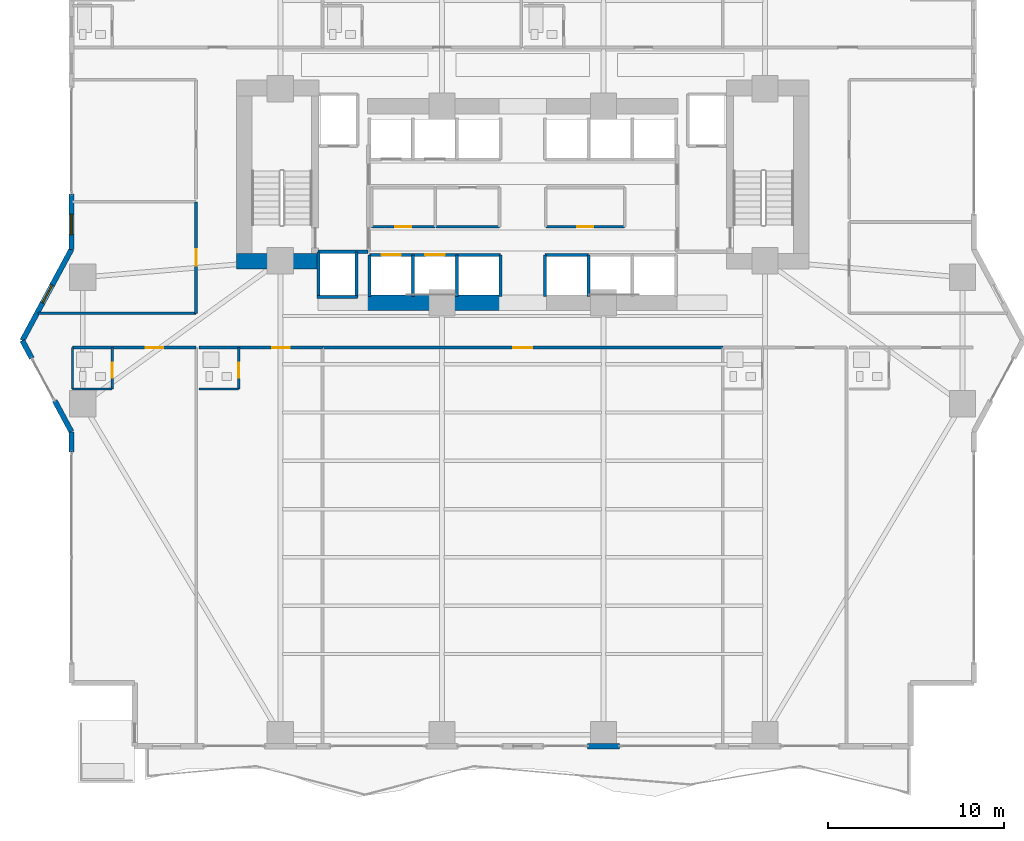
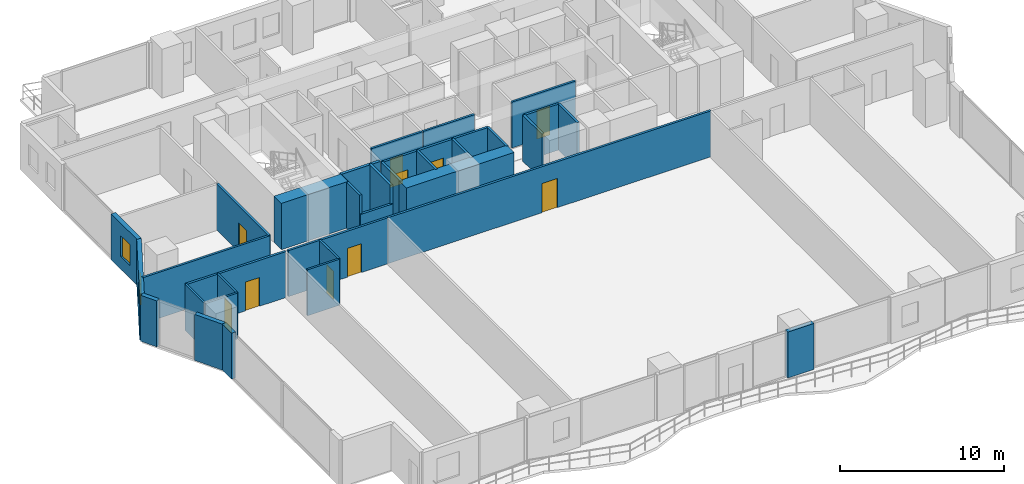
# One storey, part 19 of 28: 35 walls, 10 doors, 2 windows, 12 openings.
"""IFC4 building model written with IfcOpenShell, lengths in metres."""

from ifc_helpers import new_model, si_unit, direction, frame, frame_2d, origin, place, context, subcontext, project, spatial, rectangle, extrude, material, layer, layer_set, type_object, element, fill, save


model = new_model("IFC4")

# Units and contexts
model_context = context("Model", 3, precision=1e-05, world=origin(), true_north=direction((0.0, 1.0)))
body_context = subcontext(model_context, "Body", "Model", "MODEL_VIEW")
ifc_project = project(units=[si_unit("LENGTHUNIT", "METRE"), si_unit("AREAUNIT", "SQUARE_METRE"), si_unit("VOLUMEUNIT", "CUBIC_METRE"), si_unit("PLANEANGLEUNIT", "RADIAN"), si_unit("MASSUNIT", "GRAM", prefix="KILO")], contexts=[model_context])

# Site, building, storey
site_placement = place(None, origin())
site = spatial("IfcSite", under=ifc_project, at=site_placement, CompositionType="ELEMENT")
building_placement = place(site_placement, origin())
building = spatial("IfcBuilding", under=site, at=building_placement, Name="Zuhayl Quay Hotel", CompositionType="ELEMENT")
storey_placement = place(building_placement, frame((0.0, 0.0, 78.699951171875)))
storey = spatial("IfcBuildingStorey", under=building, at=storey_placement, Name="L19", CompositionType="ELEMENT", Elevation=78.699951171875)

# Walls
ifc_material_1 = material(Name="Concrete C70/85", Category="concrete")
ifc_layer_1 = layer(ifc_material_1, 0.89990234375, Name="Concrete C70/85", Category="concrete")
ifc_layer_set_1 = layer_set([ifc_layer_1], Name="Concrete C70/85")
wall_type_1 = type_object("IfcWallType", Name="WL_CORE_900", PredefinedType="SHEAR", material=ifc_layer_set_1)
wall_1_placement = place(storey_placement, frame((-16.31005859375, 4.52001953125, 0.0), z_axis=(0.0, 0.0, 1.0), x_axis=(1.0, 0.0, 0.0)))
element("IfcWall", 1, at=wall_1_placement, inside=storey, type_object=wall_type_1, Name="L19 Core Shear Wall CW_SW", PredefinedType="SHEAR", context=body_context, shape_type="SweptSolid", body=[
    extrude(rectangle(XDim=4.7099609375, YDim=0.89990234375, at=frame_2d((2.35498046875, 0.0))), origin(), (0.0, 0.0, 1.0), 3.4599609375),
])
wall_2_placement = place(storey_placement, frame((-8.85009765625, 2.14990234375, 0.0), z_axis=(0.0, 0.0, 1.0), x_axis=(1.0, 0.0, 0.0)))
element("IfcWall", 2, at=wall_2_placement, inside=storey, type_object=wall_type_1, Name="L19 Core Shear Wall CW_SC_W", PredefinedType="SHEAR", context=body_context, shape_type="SweptSolid", body=[
    extrude(rectangle(XDim=7.60009765625, YDim=0.89990234375, at=frame_2d((3.800048828125, 0.0))), origin(), (0.0, 0.0, 1.0), 3.429931640625),
])
ifc_material_2 = material(Name="Precast concrete C45/55", Category="concrete")
ifc_layer_2 = layer(ifc_material_2, 0.300048828125, Name="Precast concrete C45/55", Category="concrete")
ifc_layer_set_2 = layer_set([ifc_layer_2], Name="Precast concrete C45/55")
wall_type_2 = type_object("IfcWallType", Name="WL_EXT_300", PredefinedType="STANDARD", material=ifc_layer_set_2)
wall_3_placement = place(storey_placement, frame((-25.699951171875, -6.35009765625, 0.0), z_axis=(0.0, 0.0, 1.0), x_axis=(0.0, 1.0, 0.0)))
element("IfcWall", 3, at=wall_3_placement, inside=storey, type_object=wall_type_2, Name="L19 Exterior Precast Wall ENV_L19_E02_EW2", PredefinedType="STANDARD", context=body_context, shape_type="SweptSolid", body=[
    extrude(rectangle(XDim=1.150146484375, YDim=0.300048828125, at=frame_2d((0.5751953125, 0.0))), origin(), (0.0, 0.0, 1.0), 3.429931640625),
])
wall_4_placement = place(storey_placement, frame((-25.699951171875, -5.199951171875, 0.0), z_axis=(0.0, 0.0, 1.0), x_axis=(-0.474121438562, 0.88045946045, 0.0)))
element("IfcWall", 4, at=wall_4_placement, inside=storey, type_object=wall_type_2, Name="L19 Exterior Precast Wall ENV_L19_E03_EW1", PredefinedType="STANDARD", context=body_context, shape_type="SweptSolid", body=[
    extrude(rectangle(XDim=2.0205078125, YDim=0.300048828125, at=frame_2d((1.01025390625, 0.0))), origin(), (0.0, 0.0, 1.0), 3.429931640625),
])
wall_5_placement = place(storey_placement, frame((-27.954833984375, -1.012451171875, 0.0), z_axis=(0.0, 0.0, 1.0), x_axis=(-0.474099823035, 0.880471099922, 0.0)))
element("IfcWall", 5, at=wall_5_placement, inside=storey, type_object=wall_type_2, Name="L19 Exterior Precast Wall ENV_L19_E03_EW2", PredefinedType="STANDARD", context=body_context, shape_type="SweptSolid", body=[
    extrude(rectangle(XDim=1.14990234375, YDim=0.300048828125, at=frame_2d((0.574951171875, 0.0))), origin(), (0.0, 0.0, 1.0), 3.429931640625),
])

# Wall, opening, window
wall_6_placement = place(storey_placement, frame((-28.5, 0.0, 0.0), z_axis=(0.0, 0.0, 1.0), x_axis=(0.474109683532, 0.880465790352, 0.0)))
wall_6 = element("IfcWall", 6, at=wall_6_placement, inside=storey, type_object=wall_type_2, Name="L19 Exterior Precast Wall ENV_L19_E04_EW1", PredefinedType="STANDARD", context=body_context, shape_type="SweptSolid", body=[
    extrude(rectangle(XDim=5.906005859375, YDim=0.300048828125, at=frame_2d((2.953125, 0.0))), origin(), (0.0, 0.0, 1.0), 3.429931640625),
])
opening_1_placement = place(wall_6_placement, frame((2.43212890625, 0.0, 0.949951171875)))
opening_1 = element("IfcOpeningElement", 7, at=opening_1_placement, cuts=wall_6, Name="Opening W01N", PredefinedType="OPENING", context=body_context, shape_type="SweptSolid", body=[
    extrude(rectangle(XDim=1.14990234375, YDim=1.550048828125, at=frame_2d((0.574951171875, 0.77490234375))), frame((0.0, 0.159912109375, 0.0), z_axis=(0.0, -1.0, 0.0), x_axis=(1.0, 0.0, 0.0)), (0.0, 0.0, 1.0), 0.320068359375),
])
ifc_material_3 = material(Name="Dark Ceramic-Fritted Solar Glass", Category="glass")
window_type = type_object("IfcWindowType", Name="WN_NOTCH_1350", PartitioningType="SINGLE_PANEL", PredefinedType="WINDOW", material=ifc_material_3)
window_1_placement = place(opening_1_placement, origin())
window_1 = element("IfcWindow", 8, at=window_1_placement, inside=storey, type_object=window_type, Name="L19 Operable Facade Window 1-1", OverallHeight=1.550048828125, OverallWidth=1.14990234375, PartitioningType="SINGLE_PANEL", PredefinedType="WINDOW", context=body_context, shape_type="SweptSolid", body=[
    extrude(rectangle(XDim=1.14990234375, YDim=1.550048828125, at=frame_2d((0.574951171875, 0.77490234375))), frame((0.0, 0.030029296875, 0.0), z_axis=(0.0, -1.0, 0.0), x_axis=(1.0, 0.0, 0.0)), (0.0, 0.0, 1.0), 0.06005859375),
])
fill(opening_1, window_1)

wall_7_placement = place(storey_placement, frame((-25.699951171875, 5.199951171875, 0.0), z_axis=(0.0, 0.0, 1.0), x_axis=(0.0, 1.0, 0.0)))
wall_7 = element("IfcWall", 9, at=wall_7_placement, inside=storey, type_object=wall_type_2, Name="L19 Exterior Precast Wall ENV_L19_E05_EW1", PredefinedType="STANDARD", context=body_context, shape_type="SweptSolid", body=[
    extrude(rectangle(XDim=3.150146484375, YDim=0.300048828125, at=frame_2d((1.5751953125, 0.0))), origin(), (0.0, 0.0, 1.0), 3.429931640625),
])
opening_2_placement = place(wall_7_placement, frame((0.8349609375, 0.0, 0.949951171875)))
opening_2 = element("IfcOpeningElement", 10, at=opening_2_placement, cuts=wall_7, Name="Opening W01N", PredefinedType="OPENING", context=body_context, shape_type="SweptSolid", body=[
    extrude(rectangle(XDim=1.14990234375, YDim=1.550048828125, at=frame_2d((0.574951171875, 0.77490234375))), frame((0.0, 0.159912109375, 0.0), z_axis=(0.0, -1.0, 0.0), x_axis=(1.0, 0.0, 0.0)), (0.0, 0.0, 1.0), 0.320068359375),
])
window_2_placement = place(opening_2_placement, origin())
window_2 = element("IfcWindow", 11, at=window_2_placement, inside=storey, type_object=window_type, Name="L19 Operable Facade Window 1-1", OverallHeight=1.550048828125, OverallWidth=1.14990234375, PartitioningType="SINGLE_PANEL", PredefinedType="WINDOW", context=body_context, shape_type="SweptSolid", body=[
    extrude(rectangle(XDim=1.14990234375, YDim=1.550048828125, at=frame_2d((0.574951171875, 0.77490234375))), frame((0.0, 0.030029296875, 0.0), z_axis=(0.0, -1.0, 0.0), x_axis=(1.0, 0.0, 0.0)), (0.0, 0.0, 1.0), 0.06005859375),
])
fill(opening_2, window_2)

# Wall
wall_8_placement = place(storey_placement, frame((5.52001953125, -23.10009765625, 0.0), z_axis=(0.0, 0.0, 1.0), x_axis=(-1.0, 0.0, 0.0)))
element("IfcWall", 12, at=wall_8_placement, inside=storey, type_object=wall_type_2, Name="L19 Exterior Precast Wall ENV_L19_S_EW3", PredefinedType="STANDARD", context=body_context, shape_type="SweptSolid", body=[
    extrude(rectangle(XDim=1.840087890625, YDim=0.300048828125, at=frame_2d((0.919921875, 0.0))), origin(), (0.0, 0.0, 1.0), 3.429931640625),
])

# Wall, opening, door
ifc_material_4 = material(Name="Acoustic Gypsum Partition STC-58")
ifc_layer_3 = layer(ifc_material_4, 0.14990234375, Name="Acoustic Gypsum Partition STC-58")
ifc_layer_set_3 = layer_set([ifc_layer_3], Name="Acoustic Gypsum Partition STC-58")
wall_type_3 = type_object("IfcWallType", Name="WL_PART_150", PredefinedType="PARTITIONING", material=ifc_layer_set_3)
wall_9_placement = place(storey_placement, frame((-8.610107421875, 6.47998046875, 0.0), z_axis=(0.0, 0.0, 1.0), x_axis=(1.0, 0.0, 0.0)))
wall_9 = element("IfcWall", 13, at=wall_9_placement, inside=storey, type_object=wall_type_3, Name="L19 Partition IW_L19_CORE_SW_S", PredefinedType="PARTITIONING", context=body_context, shape_type="SweptSolid", body=[
    extrude(rectangle(XDim=3.6201171875, YDim=0.14990234375, at=frame_2d((1.81005859375, 0.0))), origin(), (0.0, 0.0, 1.0), 3.429931640625),
])
opening_3_placement = place(wall_9_placement, frame((1.360107421875, 0.0, 0.0)))
opening_3 = element("IfcOpeningElement", 14, at=opening_3_placement, cuts=wall_9, Name="Opening D06", PredefinedType="OPENING", context=body_context, shape_type="SweptSolid", body=[
    extrude(rectangle(XDim=0.89990234375, YDim=2.14990234375, at=frame_2d((0.449951171875, 1.074951171875))), frame((0.0, 0.0849609375, 0.0), z_axis=(0.0, -1.0, 0.0), x_axis=(1.0, 0.0, 0.0)), (0.0, 0.0, 1.0), 0.169921875),
])
ifc_material_5 = material(Name="Steel ASTM A992 Grade 50", Category="steel")
door_type_1 = type_object("IfcDoorType", Name="DR_INT_900", OperationType="NOTDEFINED", PredefinedType="DOOR", material=ifc_material_5)
door_1_placement = place(opening_3_placement, origin())
door_1 = element("IfcDoor", 15, at=door_1_placement, inside=storey, type_object=door_type_1, Name="L19 Floor Switchgear Closet Door", OperationType="SINGLE_SWING_RIGHT", OverallHeight=2.14990234375, OverallWidth=0.89990234375, PredefinedType="DOOR", context=body_context, shape_type="SweptSolid", body=[
    extrude(rectangle(XDim=0.89990234375, YDim=2.14990234375, at=frame_2d((0.449951171875, 1.074951171875))), frame((0.0, 0.02490234375, 0.0), z_axis=(0.0, -1.0, 0.0), x_axis=(1.0, 0.0, 0.0)), (0.0, 0.0, 1.0), 0.050048828125),
])
fill(opening_3, door_1)

wall_10_placement = place(storey_placement, frame((1.320068359375, 6.47998046875, 0.0), z_axis=(0.0, 0.0, 1.0), x_axis=(1.0, 0.0, 0.0)))
wall_10 = element("IfcWall", 16, at=wall_10_placement, inside=storey, type_object=wall_type_3, Name="L19 Partition IW_L19_CORE_PN_S", PredefinedType="PARTITIONING", context=body_context, shape_type="SweptSolid", body=[
    extrude(rectangle(XDim=4.489990234375, YDim=0.14990234375, at=frame_2d((2.2451171875, 0.0))), origin(), (0.0, 0.0, 1.0), 3.429931640625),
])
opening_4_placement = place(wall_10_placement, frame((1.794921875, 0.0, 0.0)))
opening_4 = element("IfcOpeningElement", 17, at=opening_4_placement, cuts=wall_10, Name="Opening D06", PredefinedType="OPENING", context=body_context, shape_type="SweptSolid", body=[
    extrude(rectangle(XDim=0.89990234375, YDim=2.14990234375, at=frame_2d((0.449951171875, 1.074951171875))), frame((0.0, 0.0849609375, 0.0), z_axis=(0.0, -1.0, 0.0), x_axis=(1.0, 0.0, 0.0)), (0.0, 0.0, 1.0), 0.169921875),
])
door_2_placement = place(opening_4_placement, origin())
door_2 = element("IfcDoor", 18, at=door_2_placement, inside=storey, type_object=door_type_1, Name="L19 Core Ice and Pantry Room Door", OperationType="SINGLE_SWING_RIGHT", OverallHeight=2.14990234375, OverallWidth=0.89990234375, PredefinedType="DOOR", context=body_context, shape_type="SweptSolid", body=[
    extrude(rectangle(XDim=0.89990234375, YDim=2.14990234375, at=frame_2d((0.449951171875, 1.074951171875))), frame((0.0, 0.02490234375, 0.0), z_axis=(0.0, -1.0, 0.0), x_axis=(1.0, 0.0, 0.0)), (0.0, 0.0, 1.0), 0.050048828125),
])
fill(opening_4, door_2)

# Walls
wall_11_placement = place(storey_placement, frame((-4.929931640625, 6.47998046875, 0.0), z_axis=(0.0, 0.0, 1.0), x_axis=(1.0, 0.0, 0.0)))
element("IfcWall", 19, at=wall_11_placement, inside=storey, type_object=wall_type_3, Name="L19 Partition IW_L19_CORE_BM_S", PredefinedType="PARTITIONING", context=body_context, shape_type="SweptSolid", body=[
    extrude(rectangle(XDim=3.60986328125, YDim=0.14990234375, at=frame_2d((1.804931640625, 0.0))), origin(), (0.0, 0.0, 1.0), 3.429931640625),
])
wall_12_placement = place(storey_placement, frame((-27.60546875, 1.550048828125, 0.0), z_axis=(0.0, 0.0, 1.0), x_axis=(1.0, 0.0, 0.0)))
element("IfcWall", 20, at=wall_12_placement, inside=storey, type_object=wall_type_3, Name="L19 Partition IW_L19_WPROW_1_S", PredefinedType="PARTITIONING", context=body_context, shape_type="SweptSolid", body=[
    extrude(rectangle(XDim=9.00537109375, YDim=0.14990234375, at=frame_2d((4.502685546875, 0.0))), origin(), (0.0, 0.0, 1.0), 3.429931640625),
])

# Wall, opening, door
ifc_layer_4 = layer(ifc_material_4, 0.159912109375, Name="Acoustic Gypsum Partition STC-58")
ifc_layer_set_4 = layer_set([ifc_layer_4], Name="Acoustic Gypsum Partition STC-58")
wall_type_4 = type_object("IfcWallType", Name="WL_PART_CORR_160", PredefinedType="PARTITIONING", material=ifc_layer_set_4)
wall_13_placement = place(storey_placement, frame((-25.639892578125, -0.39990234375, 0.0), z_axis=(0.0, 0.0, 1.0), x_axis=(1.0, 0.0, 0.0)))
wall_13 = element("IfcWall", 21, at=wall_13_placement, inside=storey, type_object=wall_type_4, Name="L19 Partition IW_L19_SU01A_COR", PredefinedType="PARTITIONING", context=body_context, shape_type="SweptSolid", body=[
    extrude(rectangle(XDim=7.039794921875, YDim=0.159912109375, at=frame_2d((3.52001953125, 0.0))), origin(), (0.0, 0.0, 1.0), 3.429931640625),
])
opening_5_placement = place(wall_13_placement, frame((4.169921875, 0.0, 0.0)))
opening_5 = element("IfcOpeningElement", 22, at=opening_5_placement, cuts=wall_13, Name="Opening D03L", PredefinedType="OPENING", context=body_context, shape_type="SweptSolid", body=[
    extrude(rectangle(XDim=1.0, YDim=2.14990234375, at=frame_2d((0.5, 1.074951171875))), frame((0.0, 0.08984375, 0.0), z_axis=(0.0, -1.0, 0.0), x_axis=(1.0, 0.0, 0.0)), (0.0, 0.0, 1.0), 0.179931640625),
])
ifc_material_6 = material(Name="Solid Walnut Acoustic Fire Door")
door_type_2 = type_object("IfcDoorType", Name="DR_SUITE_1000", OperationType="NOTDEFINED", PredefinedType="DOOR", material=ifc_material_6)
door_3_placement = place(opening_5_placement, origin())
door_3 = element("IfcDoor", 23, at=door_3_placement, inside=storey, type_object=door_type_2, Name="L19 City-View Junior Suite L19-01A Entrance Door", OperationType="SINGLE_SWING_LEFT", OverallHeight=2.14990234375, OverallWidth=1.0, PredefinedType="DOOR", context=body_context, shape_type="SweptSolid", body=[
    extrude(rectangle(XDim=1.0, YDim=2.14990234375, at=frame_2d((0.5, 1.074951171875))), frame((0.0, 0.02490234375, 0.0), z_axis=(0.0, -1.0, 0.0), x_axis=(1.0, 0.0, 0.0)), (0.0, 0.0, 1.0), 0.050048828125),
])
fill(opening_5, door_3)

wall_14_placement = place(storey_placement, frame((-18.43994140625, -0.39990234375, 0.0), z_axis=(0.0, 0.0, 1.0), x_axis=(1.0, 0.0, 0.0)))
wall_14 = element("IfcWall", 24, at=wall_14_placement, inside=storey, type_object=wall_type_4, Name="L19 Partition IW_L19_SU01B_COR", PredefinedType="PARTITIONING", context=body_context, shape_type="SweptSolid", body=[
    extrude(rectangle(XDim=7.0400390625, YDim=0.159912109375, at=frame_2d((3.52001953125, 0.0))), origin(), (0.0, 0.0, 1.0), 3.429931640625),
])
opening_6_placement = place(wall_14_placement, frame((4.169921875, 0.0, 0.0)))
opening_6 = element("IfcOpeningElement", 25, at=opening_6_placement, cuts=wall_14, Name="Opening D03L", PredefinedType="OPENING", context=body_context, shape_type="SweptSolid", body=[
    extrude(rectangle(XDim=1.0, YDim=2.14990234375, at=frame_2d((0.5, 1.074951171875))), frame((0.0, 0.08984375, 0.0), z_axis=(0.0, -1.0, 0.0), x_axis=(1.0, 0.0, 0.0)), (0.0, 0.0, 1.0), 0.179931640625),
])
door_4_placement = place(opening_6_placement, origin())
door_4 = element("IfcDoor", 26, at=door_4_placement, inside=storey, type_object=door_type_2, Name="L19 City-View Junior Suite L19-01B Entrance Door", OperationType="SINGLE_SWING_LEFT", OverallHeight=2.14990234375, OverallWidth=1.0, PredefinedType="DOOR", context=body_context, shape_type="SweptSolid", body=[
    extrude(rectangle(XDim=1.0, YDim=2.14990234375, at=frame_2d((0.5, 1.074951171875))), frame((0.0, 0.02490234375, 0.0), z_axis=(0.0, -1.0, 0.0), x_axis=(1.0, 0.0, 0.0)), (0.0, 0.0, 1.0), 0.050048828125),
])
fill(opening_6, door_4)

wall_15_placement = place(storey_placement, frame((-11.39990234375, -0.39990234375, 0.0), z_axis=(0.0, 0.0, 1.0), x_axis=(1.0, 0.0, 0.0)))
wall_15 = element("IfcWall", 27, at=wall_15_placement, inside=storey, type_object=wall_type_4, Name="L19 Partition IW_L19_SSAL_1_N", PredefinedType="PARTITIONING", context=body_context, shape_type="SweptSolid", body=[
    extrude(rectangle(XDim=22.7998046875, YDim=0.159912109375, at=frame_2d((11.39990234375, 0.0))), origin(), (0.0, 0.0, 1.0), 3.429931640625),
])
opening_7_placement = place(wall_15_placement, frame((10.860107421875, 0.0, 0.0)))
opening_7 = element("IfcOpeningElement", 28, at=opening_7_placement, cuts=wall_15, Name="Opening D05A", PredefinedType="OPENING", context=body_context, shape_type="SweptSolid", body=[
    extrude(rectangle(XDim=1.080078125, YDim=2.179931640625, at=frame_2d((0.5400390625, 1.08984375))), frame((0.0, 0.08984375, 0.0), z_axis=(0.0, -1.0, 0.0), x_axis=(1.0, 0.0, 0.0)), (0.0, 0.0, 1.0), 0.179931640625),
])
door_type_3 = type_object("IfcDoorType", Name="DR_INT_1100", OperationType="NOTDEFINED", PredefinedType="DOOR", material=ifc_material_6)
door_5_placement = place(opening_7_placement, origin())
door_5 = element("IfcDoor", 29, at=door_5_placement, inside=storey, type_object=door_type_3, Name="L19 South Sunset Salon L19 Door", OperationType="SINGLE_SWING_RIGHT", OverallHeight=2.179931640625, OverallWidth=1.080078125, PredefinedType="DOOR", context=body_context, shape_type="SweptSolid", body=[
    extrude(rectangle(XDim=1.080078125, YDim=2.179931640625, at=frame_2d((0.5400390625, 1.08984375))), frame((0.0, 0.02490234375, 0.0), z_axis=(0.0, -1.0, 0.0), x_axis=(1.0, 0.0, 0.0)), (0.0, 0.0, 1.0), 0.050048828125),
])
fill(opening_7, door_5)

wall_16_placement = place(storey_placement, frame((-18.60009765625, 1.550048828125, 0.0), z_axis=(0.0, 0.0, 1.0), x_axis=(0.0, 1.0, 0.0)))
wall_16 = element("IfcWall", 30, at=wall_16_placement, inside=storey, type_object=wall_type_4, Name="L19 Partition IW_L19_WPROW_1_E", PredefinedType="PARTITIONING", context=body_context, shape_type="SweptSolid", body=[
    extrude(rectangle(XDim=6.349853515625, YDim=0.159912109375, at=frame_2d((3.1748046875, 0.0))), origin(), (0.0, 0.0, 1.0), 3.429931640625),
])
opening_8_placement = place(wall_16_placement, frame((2.699951171875, 0.0, 0.0)))
opening_8 = element("IfcOpeningElement", 31, at=opening_8_placement, cuts=wall_16, Name="Opening D03", PredefinedType="OPENING", context=body_context, shape_type="SweptSolid", body=[
    extrude(rectangle(XDim=0.949951171875, YDim=2.14990234375, at=frame_2d((0.47509765625, 1.074951171875))), frame((0.0, 0.08984375, 0.0), z_axis=(0.0, -1.0, 0.0), x_axis=(1.0, 0.0, 0.0)), (0.0, 0.0, 1.0), 0.179931640625),
])
door_type_4 = type_object("IfcDoorType", Name="DR_SUITE_950", OperationType="NOTDEFINED", PredefinedType="DOOR", material=ifc_material_6)
door_6_placement = place(opening_8_placement, origin())
door_6 = element("IfcDoor", 32, at=door_6_placement, inside=storey, type_object=door_type_4, Name="L19 West Prow Office L19 Door", OperationType="SINGLE_SWING_LEFT", OverallHeight=2.14990234375, OverallWidth=0.949951171875, PredefinedType="DOOR", context=body_context, shape_type="SweptSolid", body=[
    extrude(rectangle(XDim=0.949951171875, YDim=2.14990234375, at=frame_2d((0.47509765625, 1.074951171875))), frame((0.0, 0.02490234375, 0.0), z_axis=(0.0, -1.0, 0.0), x_axis=(1.0, 0.0, 0.0)), (0.0, 0.0, 1.0), 0.050048828125),
])
fill(opening_8, door_6)

ifc_material_7 = material(Name="Moisture-Resistant Sanitarychase Gypsum")
ifc_layer_5 = layer(ifc_material_7, 0.135009765625, Name="Moisture-Resistant Sanitarychase Gypsum")
ifc_layer_set_5 = layer_set([ifc_layer_5], Name="Moisture-Resistant Sanitarychase Gypsum")
wall_type_5 = type_object("IfcWallType", Name="WL_PART_PLUMB_150", PredefinedType="PLUMBINGWALL", material=ifc_layer_set_5)
wall_17_placement = place(storey_placement, frame((-23.3798828125, -2.760009765625, 0.0), z_axis=(0.0, 0.0, 1.0), x_axis=(0.0, 1.0, 0.0)))
wall_17 = element("IfcWall", 33, at=wall_17_placement, inside=storey, type_object=wall_type_5, Name="L19 Partition IW_L19_SU01A_BE", PredefinedType="PLUMBINGWALL", context=body_context, shape_type="SweptSolid", body=[
    extrude(rectangle(XDim=2.360107421875, YDim=0.135009765625, at=frame_2d((1.18017578125, 0.0))), origin(), (0.0, 0.0, 1.0), 3.429931640625),
])
opening_9_placement = place(wall_17_placement, frame((0.64990234375, 0.0, 0.0)))
opening_9 = element("IfcOpeningElement", 34, at=opening_9_placement, cuts=wall_17, Name="Opening D04", PredefinedType="OPENING", context=body_context, shape_type="SweptSolid", body=[
    extrude(rectangle(XDim=0.85009765625, YDim=2.10009765625, at=frame_2d((0.425048828125, 1.050048828125))), frame((0.0, 0.077392578125, 0.0), z_axis=(0.0, -1.0, 0.0), x_axis=(1.0, 0.0, 0.0)), (0.0, 0.0, 1.0), 0.155029296875),
])
ifc_material_8 = material(Name="Moisture-Resistant Walnut Veneer")
door_type_5 = type_object("IfcDoorType", Name="DR_BATH_850", OperationType="NOTDEFINED", PredefinedType="DOOR", material=ifc_material_8)
door_7_placement = place(opening_9_placement, origin())
door_7 = element("IfcDoor", 35, at=door_7_placement, inside=storey, type_object=door_type_5, Name="L19 City-View Junior Suite L19-01A En-Suite Door", OperationType="SINGLE_SWING_RIGHT", OverallHeight=2.10009765625, OverallWidth=0.85009765625, PredefinedType="DOOR", context=body_context, shape_type="SweptSolid", body=[
    extrude(rectangle(XDim=0.85009765625, YDim=2.10009765625, at=frame_2d((0.425048828125, 1.050048828125))), frame((0.0, 0.02490234375, 0.0), z_axis=(0.0, -1.0, 0.0), x_axis=(1.0, 0.0, 0.0)), (0.0, 0.0, 1.0), 0.050048828125),
])
fill(opening_9, door_7)

wall_18_placement = place(storey_placement, frame((-16.179931640625, -2.760009765625, 0.0), z_axis=(0.0, 0.0, 1.0), x_axis=(0.0, 1.0, 0.0)))
wall_18 = element("IfcWall", 36, at=wall_18_placement, inside=storey, type_object=wall_type_5, Name="L19 Partition IW_L19_SU01B_BE", PredefinedType="PLUMBINGWALL", context=body_context, shape_type="SweptSolid", body=[
    extrude(rectangle(XDim=2.360107421875, YDim=0.135009765625, at=frame_2d((1.18017578125, 0.0))), origin(), (0.0, 0.0, 1.0), 3.429931640625),
])
opening_10_placement = place(wall_18_placement, frame((0.64990234375, 0.0, 0.0)))
opening_10 = element("IfcOpeningElement", 37, at=opening_10_placement, cuts=wall_18, Name="Opening D04", PredefinedType="OPENING", context=body_context, shape_type="SweptSolid", body=[
    extrude(rectangle(XDim=0.85009765625, YDim=2.10009765625, at=frame_2d((0.425048828125, 1.050048828125))), frame((0.0, 0.077392578125, 0.0), z_axis=(0.0, -1.0, 0.0), x_axis=(1.0, 0.0, 0.0)), (0.0, 0.0, 1.0), 0.155029296875),
])
door_8_placement = place(opening_10_placement, origin())
door_8 = element("IfcDoor", 38, at=door_8_placement, inside=storey, type_object=door_type_5, Name="L19 City-View Junior Suite L19-01B En-Suite Door", OperationType="SINGLE_SWING_RIGHT", OverallHeight=2.10009765625, OverallWidth=0.85009765625, PredefinedType="DOOR", context=body_context, shape_type="SweptSolid", body=[
    extrude(rectangle(XDim=0.85009765625, YDim=2.10009765625, at=frame_2d((0.425048828125, 1.050048828125))), frame((0.0, 0.02490234375, 0.0), z_axis=(0.0, -1.0, 0.0), x_axis=(1.0, 0.0, 0.0)), (0.0, 0.0, 1.0), 0.050048828125),
])
fill(opening_10, door_8)

# Walls
wall_19_placement = place(storey_placement, frame((-25.639892578125, -2.760009765625, 0.0), z_axis=(0.0, 0.0, 1.0), x_axis=(1.0, 0.0, 0.0)))
element("IfcWall", 39, at=wall_19_placement, inside=storey, type_object=wall_type_5, Name="L19 Partition IW_L19_SU01A_BS", PredefinedType="PLUMBINGWALL", context=body_context, shape_type="SweptSolid", body=[
    extrude(rectangle(XDim=2.260009765625, YDim=0.135009765625, at=frame_2d((1.1298828125, 0.0))), origin(), (0.0, 0.0, 1.0), 3.429931640625),
])
wall_20_placement = place(storey_placement, frame((-25.639892578125, -2.760009765625, 0.0), z_axis=(0.0, 0.0, 1.0), x_axis=(0.0, 1.0, 0.0)))
element("IfcWall", 40, at=wall_20_placement, inside=storey, type_object=wall_type_5, Name="L19 Partition IW_L19_SU01A_BW", PredefinedType="PLUMBINGWALL", context=body_context, shape_type="SweptSolid", body=[
    extrude(rectangle(XDim=2.360107421875, YDim=0.135009765625, at=frame_2d((1.18017578125, 0.0))), origin(), (0.0, 0.0, 1.0), 3.429931640625),
])
wall_21_placement = place(storey_placement, frame((-18.43994140625, -2.760009765625, 0.0), z_axis=(0.0, 0.0, 1.0), x_axis=(1.0, 0.0, 0.0)))
element("IfcWall", 41, at=wall_21_placement, inside=storey, type_object=wall_type_5, Name="L19 Partition IW_L19_SU01B_BS", PredefinedType="PLUMBINGWALL", context=body_context, shape_type="SweptSolid", body=[
    extrude(rectangle(XDim=2.260009765625, YDim=0.135009765625, at=frame_2d((1.1298828125, 0.0))), origin(), (0.0, 0.0, 1.0), 3.429931640625),
])

# Wall, opening, door
ifc_material_9 = material(Name="Gypsum Fireboard Assembly EI-90")
ifc_layer_6 = layer(ifc_material_9, 0.1650390625, Name="Gypsum Fireboard Assembly EI-90")
ifc_layer_set_6 = layer_set([ifc_layer_6], Name="Gypsum Fireboard Assembly EI-90")
wall_type_6 = type_object("IfcWallType", Name="WL_PART_SHAFT_160", PredefinedType="PARTITIONING", material=ifc_layer_set_6)
wall_22_placement = place(storey_placement, frame((-8.72998046875, 4.8798828125, 0.0), z_axis=(0.0, 0.0, 1.0), x_axis=(1.0, 0.0, 0.0)))
wall_22 = element("IfcWall", 42, at=wall_22_placement, inside=storey, type_object=wall_type_6, Name="L19 Partition IW_L19_SH_LP1_F", PredefinedType="PARTITIONING", context=body_context, shape_type="SweptSolid", body=[
    extrude(rectangle(XDim=2.47998046875, YDim=0.1650390625, at=frame_2d((1.239990234375, 0.0))), origin(), (0.0, 0.0, 1.0), 3.429931640625),
])
opening_11_placement = place(wall_22_placement, frame((0.68994140625, 0.0, 0.0)))
opening_11 = element("IfcOpeningElement", 43, at=opening_11_placement, cuts=wall_22, Name="Opening LD1", PredefinedType="OPENING", context=body_context, shape_type="SweptSolid", body=[
    extrude(rectangle(XDim=1.10009765625, YDim=2.25, at=frame_2d((0.550048828125, 1.125))), frame((0.0, 0.092529296875, 0.0), z_axis=(0.0, -1.0, 0.0), x_axis=(1.0, 0.0, 0.0)), (0.0, 0.0, 1.0), 0.18505859375),
])
ifc_material_10 = material(Name="Brushed Stainless Steel", Category="steel")
door_type_6 = type_object("IfcDoorType", Name="DR_LIFT_PASS_1100", OperationType="SLIDING_TO_LEFT", PredefinedType="DOOR", material=ifc_material_10)
door_9_placement = place(opening_11_placement, origin())
door_9 = element("IfcDoor", 44, at=door_9_placement, inside=storey, type_object=door_type_6, Name="L19 Lift LP1 Sliding Landing Door", OperationType="SLIDING_TO_LEFT", OverallHeight=2.25, OverallWidth=1.10009765625, PredefinedType="DOOR", context=body_context, shape_type="SweptSolid", body=[
    extrude(rectangle(XDim=1.10009765625, YDim=2.25, at=frame_2d((0.550048828125, 1.125))), frame((0.0, 0.02490234375, 0.0), z_axis=(0.0, -1.0, 0.0), x_axis=(1.0, 0.0, 0.0)), (0.0, 0.0, 1.0), 0.050048828125),
])
fill(opening_11, door_9)

wall_23_placement = place(storey_placement, frame((-6.25, 4.8798828125, 0.0), z_axis=(0.0, 0.0, 1.0), x_axis=(1.0, 0.0, 0.0)))
wall_23 = element("IfcWall", 45, at=wall_23_placement, inside=storey, type_object=wall_type_6, Name="L19 Partition IW_L19_SH_LP2_F", PredefinedType="PARTITIONING", context=body_context, shape_type="SweptSolid", body=[
    extrude(rectangle(XDim=2.5, YDim=0.1650390625, at=frame_2d((1.25, 0.0))), origin(), (0.0, 0.0, 1.0), 3.429931640625),
])
opening_12_placement = place(wall_23_placement, frame((0.699951171875, 0.0, 0.0)))
opening_12 = element("IfcOpeningElement", 46, at=opening_12_placement, cuts=wall_23, Name="Opening LD1", PredefinedType="OPENING", context=body_context, shape_type="SweptSolid", body=[
    extrude(rectangle(XDim=1.10009765625, YDim=2.25, at=frame_2d((0.550048828125, 1.125))), frame((0.0, 0.092529296875, 0.0), z_axis=(0.0, -1.0, 0.0), x_axis=(1.0, 0.0, 0.0)), (0.0, 0.0, 1.0), 0.18505859375),
])
door_10_placement = place(opening_12_placement, origin())
door_10 = element("IfcDoor", 47, at=door_10_placement, inside=storey, type_object=door_type_6, Name="L19 Lift LP2 Sliding Landing Door", OperationType="SLIDING_TO_LEFT", OverallHeight=2.25, OverallWidth=1.10009765625, PredefinedType="DOOR", context=body_context, shape_type="SweptSolid", body=[
    extrude(rectangle(XDim=1.10009765625, YDim=2.25, at=frame_2d((0.550048828125, 1.125))), frame((0.0, 0.02490234375, 0.0), z_axis=(0.0, -1.0, 0.0), x_axis=(1.0, 0.0, 0.0)), (0.0, 0.0, 1.0), 0.050048828125),
])
fill(opening_12, door_10)

# Walls
for number, where, z_axis, x_axis, name in (
    (48, (-8.72998046875, 2.52001953125, 0.0), (0.0, 0.0, 1.0), (0.0, 1.0, 0.0), "L19 Partition IW_L19_SH_LP1_W"),
    (49, (-6.25, 2.52001953125, 0.0), (0.0, 0.0, 1.0), (0.0, 1.0, 0.0), "L19 Partition IW_L19_SH_LP1_E"),
    (50, (-3.75, 2.52001953125, 0.0), (0.0, 0.0, 1.0), (0.0, 1.0, 0.0), "L19 Partition IW_L19_SH_LP2_E"),
):
    element("IfcWall", number, at=place(storey_placement, frame(where, z_axis=z_axis, x_axis=x_axis)), inside=storey, type_object=wall_type_6, Name=name, PredefinedType="PARTITIONING", context=body_context, shape_type="SweptSolid", body=[
        extrude(rectangle(XDim=2.35986328125, YDim=0.1650390625, at=frame_2d((1.179931640625, 0.0))), origin(), (0.0, 0.0, 1.0), 3.429931640625),
    ])
wall_24_placement = place(storey_placement, frame((-3.75, 4.8798828125, 0.0), z_axis=(0.0, 0.0, 1.0), x_axis=(1.0, 0.0, 0.0)))
element("IfcWall", 51, at=wall_24_placement, inside=storey, type_object=wall_type_6, Name="L19 Partition IW_L19_SH_MP1_F", PredefinedType="PARTITIONING", context=body_context, shape_type="SweptSolid", body=[
    extrude(rectangle(XDim=2.47998046875, YDim=0.1650390625, at=frame_2d((1.239990234375, 0.0))), origin(), (0.0, 0.0, 1.0), 3.429931640625),
])
wall_25_placement = place(storey_placement, frame((-1.27001953125, 2.52001953125, 0.0), z_axis=(0.0, 0.0, 1.0), x_axis=(0.0, 1.0, 0.0)))
element("IfcWall", 52, at=wall_25_placement, inside=storey, type_object=wall_type_6, Name="L19 Partition IW_L19_SH_MP1_E", PredefinedType="PARTITIONING", context=body_context, shape_type="SweptSolid", body=[
    extrude(rectangle(XDim=2.35986328125, YDim=0.1650390625, at=frame_2d((1.179931640625, 0.0))), origin(), (0.0, 0.0, 1.0), 3.429931640625),
])
wall_26_placement = place(storey_placement, frame((1.27001953125, 4.8798828125, 0.0), z_axis=(0.0, 0.0, 1.0), x_axis=(1.0, 0.0, 0.0)))
element("IfcWall", 53, at=wall_26_placement, inside=storey, type_object=wall_type_6, Name="L19 Partition IW_L19_SH_MP2_F", PredefinedType="PARTITIONING", context=body_context, shape_type="SweptSolid", body=[
    extrude(rectangle(XDim=2.47998046875, YDim=0.1650390625, at=frame_2d((1.239990234375, 0.0))), origin(), (0.0, 0.0, 1.0), 3.429931640625),
])
for number, where, z_axis, x_axis, name in (
    (54, (1.27001953125, 2.52001953125, 0.0), (0.0, 0.0, 1.0), (0.0, 1.0, 0.0), "L19 Partition IW_L19_SH_MP2_W"),
    (55, (3.75, 2.52001953125, 0.0), (0.0, 0.0, 1.0), (0.0, 1.0, 0.0), "L19 Partition IW_L19_SH_MP2_E"),
):
    element("IfcWall", number, at=place(storey_placement, frame(where, z_axis=z_axis, x_axis=x_axis)), inside=storey, type_object=wall_type_6, Name=name, PredefinedType="PARTITIONING", context=body_context, shape_type="SweptSolid", body=[
        extrude(rectangle(XDim=2.35986328125, YDim=0.1650390625, at=frame_2d((1.179931640625, 0.0))), origin(), (0.0, 0.0, 1.0), 3.429931640625),
    ])
wall_27_placement = place(storey_placement, frame((-11.6298828125, 2.469970703125, 0.0), z_axis=(0.0, 0.0, 1.0), x_axis=(0.0, 1.0, 0.0)))
element("IfcWall", 56, at=wall_27_placement, inside=storey, type_object=wall_type_6, Name="L19 Partition IW_L19_RISER_W", PredefinedType="PARTITIONING", context=body_context, shape_type="SweptSolid", body=[
    extrude(rectangle(XDim=2.580078125, YDim=0.1650390625, at=frame_2d((1.2900390625, 0.0))), origin(), (0.0, 0.0, 1.0), 3.429931640625),
])
wall_28_placement = place(storey_placement, frame((-11.7099609375, 2.469970703125, 0.0), z_axis=(0.0, 0.0, 1.0), x_axis=(1.0, 0.0, 0.0)))
element("IfcWall", 57, at=wall_28_placement, inside=storey, type_object=wall_type_6, Name="L19 Partition IW_L19_RISER_S", PredefinedType="PARTITIONING", context=body_context, shape_type="SweptSolid", body=[
    extrude(rectangle(XDim=2.31005859375, YDim=0.1650390625, at=frame_2d((1.155029296875, 0.0))), origin(), (0.0, 0.0, 1.0), 2.030029296875),
])
ifc_layer_7 = layer(ifc_material_9, 0.179931640625, Name="Gypsum Fireboard Assembly EI-90")
ifc_layer_set_7 = layer_set([ifc_layer_7], Name="Gypsum Fireboard Assembly EI-90")
wall_type_7 = type_object("IfcWallType", Name="WL_PART_SHAFT_180", PredefinedType="PARTITIONING", material=ifc_layer_set_7)
wall_29_placement = place(storey_placement, frame((-9.469970703125, 2.449951171875, 0.0), z_axis=(0.0, 0.0, 1.0), x_axis=(0.0, 1.0, 0.0)))
element("IfcWall", 58, at=wall_29_placement, inside=storey, type_object=wall_type_7, Name="L19 Partition IW_L19_RISER_E", PredefinedType="PARTITIONING", context=body_context, shape_type="SweptSolid", body=[
    extrude(rectangle(XDim=2.60009765625, YDim=0.179931640625, at=frame_2d((1.300048828125, 0.0))), origin(), (0.0, 0.0, 1.0), 3.429931640625),
])
ifc_material_11 = material(Name="Gypsum Fireboard Assembly EI-120")
ifc_layer_8 = layer(ifc_material_11, 0.199951171875, Name="Gypsum Fireboard Assembly EI-120")
ifc_layer_set_8 = layer_set([ifc_layer_8], Name="Gypsum Fireboard Assembly EI-120")
wall_type_8 = type_object("IfcWallType", Name="WL_PART_SHAFT_200", PredefinedType="PARTITIONING", material=ifc_layer_set_8)
wall_30_placement = place(storey_placement, frame((-11.64990234375, 5.050048828125, 0.0), z_axis=(0.0, 0.0, 1.0), x_axis=(1.0, 0.0, 0.0)))
element("IfcWall", 59, at=wall_30_placement, inside=storey, type_object=wall_type_8, Name="L19 Partition IW_L19_FSAE_W_S", PredefinedType="PARTITIONING", context=body_context, shape_type="SweptSolid", body=[
    extrude(rectangle(XDim=2.849853515625, YDim=0.199951171875, at=frame_2d((1.4248046875, 0.0))), origin(), (0.0, 0.0, 1.0), 3.429931640625),
])

save(model, "model.ifc")
